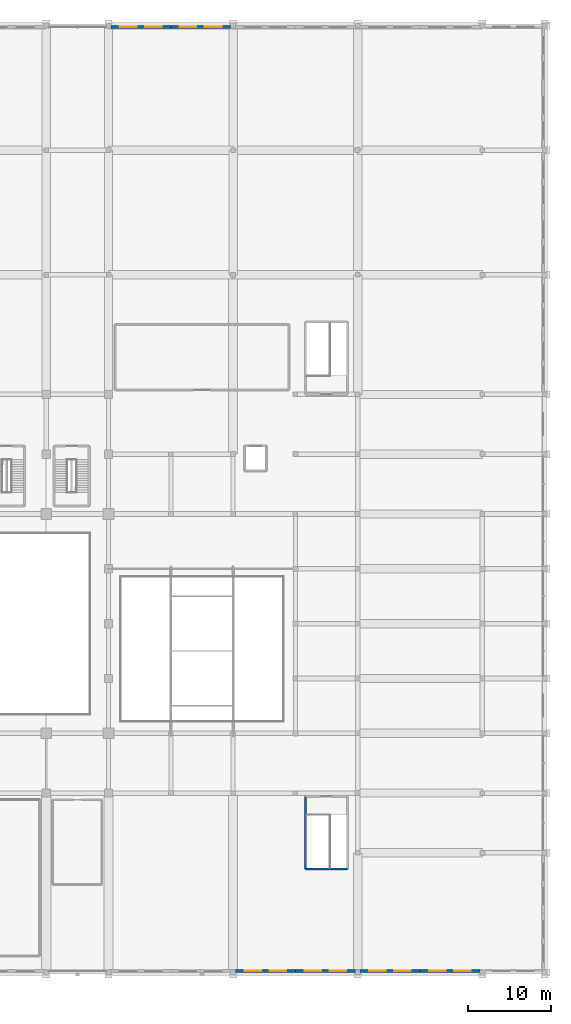
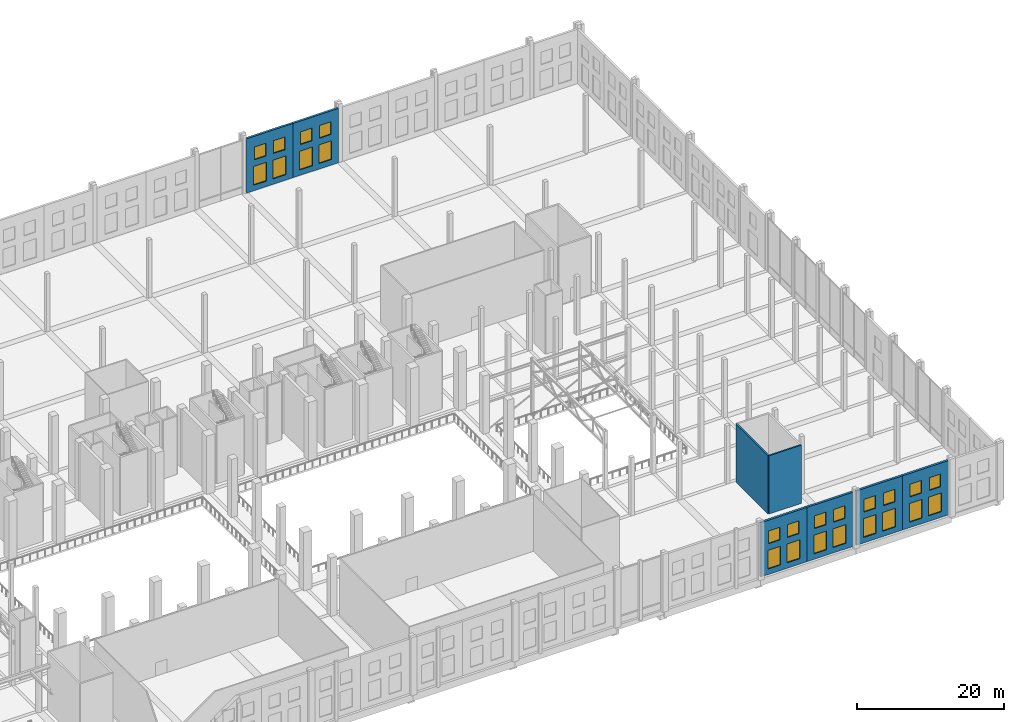
# One storey, part 70 of 80: 24 windows, 8 walls, 24 openings.
"""IFC4 building model written with IfcOpenShell, lengths in metres."""

from ifc_helpers import new_model, si_unit, direction, frame, frame_2d, origin, place, context, subcontext, project, spatial, rectangle, extrude, material, layer, layer_set, type_object, element, fill, save


model = new_model("IFC4")

# Units and contexts
model_context = context("Model", 3, precision=1e-05, world=origin(), true_north=direction((0.0, 1.0)))
body_context = subcontext(model_context, "Body", "Model", "MODEL_VIEW")
ifc_project = project(units=[si_unit("LENGTHUNIT", "METRE"), si_unit("AREAUNIT", "SQUARE_METRE"), si_unit("VOLUMEUNIT", "CUBIC_METRE"), si_unit("PLANEANGLEUNIT", "RADIAN"), si_unit("MASSUNIT", "GRAM", prefix="KILO")], contexts=[model_context])

# Site, building, storey
site_placement = place(None, origin())
site = spatial("IfcSite", under=ifc_project, at=site_placement, CompositionType="ELEMENT")
building_placement = place(site_placement, origin())
building = spatial("IfcBuilding", under=site, at=building_placement, Name="Akrevak Sports Hall", CompositionType="ELEMENT")
storey_placement = place(building_placement, frame((0.0, 0.0, 14.0)))
storey = spatial("IfcBuildingStorey", under=building, at=storey_placement, Name="L03", CompositionType="ELEMENT", Elevation=14.0)

# Wall, openings, windows
ifc_material_1 = material(Name="Limestone Ashlar", Category="stone")
ifc_layer_1 = layer(ifc_material_1, 0.070068359375, Name="Limestone Ashlar")
ifc_material_2 = material(Name="Mineral Wool Thermal Insulation", Category="insulation")
ifc_layer_2 = layer(ifc_material_2, 0.10009765625, Name="Mineral Wool Thermal Insulation")
ifc_material_3 = material(Name="Concrete C40/50", Category="concrete")
ifc_layer_3 = layer(ifc_material_3, 0.169921875, Name="Concrete C40/50")
ifc_layer_set_1 = layer_set([ifc_layer_1, ifc_layer_2, ifc_layer_3], Name="Limestone Ashlar / Mineral Wool Thermal Insulation / Concrete C40/50")
wall_type_1 = type_object("IfcWallType", Name="ARC-WL-EXT-340", PredefinedType="SOLIDWALL", material=ifc_layer_set_1)
wall_1_placement = place(storey_placement, frame((130.800048828125, 0.169921875, 0.0), z_axis=(0.0, 0.0, 1.0), x_axis=(1.0, 0.0, 0.0)))
wall_1 = element("IfcWall", 1, at=wall_1_placement, inside=storey, type_object=wall_type_1, Name="Exterior Limestone Wall L03-S16", PredefinedType="SOLIDWALL", context=body_context, shape_type="SweptSolid", body=[
    extrude(rectangle(XDim=7.199951171875, YDim=0.340087890625, at=frame_2d((3.60009765625, 0.0))), origin(), (0.0, 0.0, 1.0), 9.0),
])
opening_1_placement = place(wall_1_placement, frame((1.087890625, 0.0, 0.919921875)))
opening_1 = element("IfcOpeningElement", 2, at=opening_1_placement, cuts=wall_1, Name="Opening WN-41", PredefinedType="OPENING", context=body_context, shape_type="SweptSolid", body=[
    extrude(rectangle(XDim=2.0, YDim=3.10009765625, at=frame_2d((1.0, 1.550048828125))), frame((0.0, 0.18212890625, 0.0), z_axis=(0.0, -1.0, 0.0), x_axis=(1.0, 0.0, 0.0)), (0.0, 0.0, 1.0), 0.364013671875),
])
opening_2_placement = place(wall_1_placement, frame((1.18798828125, 0.0, 5.10009765625)))
opening_2 = element("IfcOpeningElement", 3, at=opening_2_placement, cuts=wall_1, Name="Opening WN-37", PredefinedType="OPENING", context=body_context, shape_type="SweptSolid", body=[
    extrude(rectangle(XDim=1.800048828125, YDim=2.10009765625, at=frame_2d((0.89990234375, 1.050048828125))), frame((0.0, 0.18212890625, 0.0), z_axis=(0.0, -1.0, 0.0), x_axis=(1.0, 0.0, 0.0)), (0.0, 0.0, 1.0), 0.364013671875),
])
opening_3_placement = place(wall_1_placement, frame((4.112060546875, 0.0, 0.919921875)))
opening_3 = element("IfcOpeningElement", 4, at=opening_3_placement, cuts=wall_1, Name="Opening WN-41", PredefinedType="OPENING", context=body_context, shape_type="SweptSolid", body=[
    extrude(rectangle(XDim=2.0, YDim=3.10009765625, at=frame_2d((1.0, 1.550048828125))), frame((0.0, 0.18212890625, 0.0), z_axis=(0.0, -1.0, 0.0), x_axis=(1.0, 0.0, 0.0)), (0.0, 0.0, 1.0), 0.364013671875),
])
opening_4_placement = place(wall_1_placement, frame((4.2119140625, 0.0, 5.10009765625)))
opening_4 = element("IfcOpeningElement", 5, at=opening_4_placement, cuts=wall_1, Name="Opening WN-37", PredefinedType="OPENING", context=body_context, shape_type="SweptSolid", body=[
    extrude(rectangle(XDim=1.800048828125, YDim=2.10009765625, at=frame_2d((0.89990234375, 1.050048828125))), frame((0.0, 0.18212890625, 0.0), z_axis=(0.0, -1.0, 0.0), x_axis=(1.0, 0.0, 0.0)), (0.0, 0.0, 1.0), 0.364013671875),
])
ifc_material_4 = material(Name="Thermally Broken Bronze Frame & Double Low-E Glass", Category="glass")
window_type_1 = type_object("IfcWindowType", Name="ARC-WIN-SZ-1800x2100", PartitioningType="SINGLE_PANEL", PredefinedType="WINDOW", material=ifc_material_4)
window_1_placement = place(opening_2_placement, origin())
window_1 = element("IfcWindow", 6, at=window_1_placement, inside=storey, type_object=window_type_1, Name="Beaux-Arts Attic Clerestory Window WIN-L03-S16-1U", OverallHeight=2.10009765625, OverallWidth=1.800048828125, PartitioningType="SINGLE_PANEL", PredefinedType="WINDOW", context=body_context, shape_type="SweptSolid", body=[
    extrude(rectangle(XDim=1.800048828125, YDim=2.10009765625, at=frame_2d((0.89990234375, 1.050048828125))), frame((0.0, 0.030029296875, 0.0), z_axis=(0.0, -1.0, 0.0), x_axis=(1.0, 0.0, 0.0)), (0.0, 0.0, 1.0), 0.06005859375),
])
fill(opening_2, window_1)
window_2_placement = place(opening_4_placement, origin())
window_2 = element("IfcWindow", 7, at=window_2_placement, inside=storey, type_object=window_type_1, Name="Beaux-Arts Attic Clerestory Window WIN-L03-S16-2U", OverallHeight=2.10009765625, OverallWidth=1.800048828125, PartitioningType="SINGLE_PANEL", PredefinedType="WINDOW", context=body_context, shape_type="SweptSolid", body=[
    extrude(rectangle(XDim=1.800048828125, YDim=2.10009765625, at=frame_2d((0.89990234375, 1.050048828125))), frame((0.0, 0.030029296875, 0.0), z_axis=(0.0, -1.0, 0.0), x_axis=(1.0, 0.0, 0.0)), (0.0, 0.0, 1.0), 0.06005859375),
])
fill(opening_4, window_2)
window_type_2 = type_object("IfcWindowType", Name="ARC-WIN-SZ-2000x3100", PartitioningType="SINGLE_PANEL", PredefinedType="WINDOW", material=ifc_material_4)
window_3_placement = place(opening_1_placement, origin())
window_3 = element("IfcWindow", 8, at=window_3_placement, inside=storey, type_object=window_type_2, Name="Beaux-Arts Facade Window WIN-L03-S16-1", OverallHeight=3.10009765625, OverallWidth=2.0, PartitioningType="SINGLE_PANEL", PredefinedType="WINDOW", context=body_context, shape_type="SweptSolid", body=[
    extrude(rectangle(XDim=2.0, YDim=3.10009765625, at=frame_2d((1.0, 1.550048828125))), frame((0.0, 0.030029296875, 0.0), z_axis=(0.0, -1.0, 0.0), x_axis=(1.0, 0.0, 0.0)), (0.0, 0.0, 1.0), 0.06005859375),
])
fill(opening_1, window_3)
window_4_placement = place(opening_3_placement, origin())
window_4 = element("IfcWindow", 9, at=window_4_placement, inside=storey, type_object=window_type_2, Name="Beaux-Arts Facade Window WIN-L03-S16-2", OverallHeight=3.10009765625, OverallWidth=2.0, PartitioningType="SINGLE_PANEL", PredefinedType="WINDOW", context=body_context, shape_type="SweptSolid", body=[
    extrude(rectangle(XDim=2.0, YDim=3.10009765625, at=frame_2d((1.0, 1.550048828125))), frame((0.0, 0.030029296875, 0.0), z_axis=(0.0, -1.0, 0.0), x_axis=(1.0, 0.0, 0.0)), (0.0, 0.0, 1.0), 0.06005859375),
])
fill(opening_3, window_4)

wall_2_placement = place(storey_placement, frame((138.0, 0.169921875, 0.0), z_axis=(0.0, 0.0, 1.0), x_axis=(1.0, 0.0, 0.0)))
wall_2 = element("IfcWall", 10, at=wall_2_placement, inside=storey, type_object=wall_type_1, Name="Exterior Limestone Wall L03-S17", PredefinedType="SOLIDWALL", context=body_context, shape_type="SweptSolid", body=[
    extrude(rectangle(XDim=7.22509765625, YDim=0.340087890625, at=frame_2d((3.612548828125, 0.0))), origin(), (0.0, 0.0, 1.0), 9.0),
])
opening_5_placement = place(wall_2_placement, frame((1.09521484375, 0.0, 0.919921875)))
opening_5 = element("IfcOpeningElement", 11, at=opening_5_placement, cuts=wall_2, Name="Opening WN-41", PredefinedType="OPENING", context=body_context, shape_type="SweptSolid", body=[
    extrude(rectangle(XDim=2.0, YDim=3.10009765625, at=frame_2d((1.0, 1.550048828125))), frame((0.0, 0.18212890625, 0.0), z_axis=(0.0, -1.0, 0.0), x_axis=(1.0, 0.0, 0.0)), (0.0, 0.0, 1.0), 0.364013671875),
])
opening_6_placement = place(wall_2_placement, frame((1.1953125, 0.0, 5.10009765625)))
opening_6 = element("IfcOpeningElement", 12, at=opening_6_placement, cuts=wall_2, Name="Opening WN-37", PredefinedType="OPENING", context=body_context, shape_type="SweptSolid", body=[
    extrude(rectangle(XDim=1.800048828125, YDim=2.10009765625, at=frame_2d((0.89990234375, 1.050048828125))), frame((0.0, 0.18212890625, 0.0), z_axis=(0.0, -1.0, 0.0), x_axis=(1.0, 0.0, 0.0)), (0.0, 0.0, 1.0), 0.364013671875),
])
opening_7_placement = place(wall_2_placement, frame((4.1298828125, 0.0, 0.919921875)))
opening_7 = element("IfcOpeningElement", 13, at=opening_7_placement, cuts=wall_2, Name="Opening WN-41", PredefinedType="OPENING", context=body_context, shape_type="SweptSolid", body=[
    extrude(rectangle(XDim=2.0, YDim=3.10009765625, at=frame_2d((1.0, 1.550048828125))), frame((0.0, 0.18212890625, 0.0), z_axis=(0.0, -1.0, 0.0), x_axis=(1.0, 0.0, 0.0)), (0.0, 0.0, 1.0), 0.364013671875),
])
opening_8_placement = place(wall_2_placement, frame((4.229736328125, 0.0, 5.10009765625)))
opening_8 = element("IfcOpeningElement", 14, at=opening_8_placement, cuts=wall_2, Name="Opening WN-37", PredefinedType="OPENING", context=body_context, shape_type="SweptSolid", body=[
    extrude(rectangle(XDim=1.800048828125, YDim=2.10009765625, at=frame_2d((0.89990234375, 1.050048828125))), frame((0.0, 0.18212890625, 0.0), z_axis=(0.0, -1.0, 0.0), x_axis=(1.0, 0.0, 0.0)), (0.0, 0.0, 1.0), 0.364013671875),
])
window_5_placement = place(opening_6_placement, origin())
window_5 = element("IfcWindow", 15, at=window_5_placement, inside=storey, type_object=window_type_1, Name="Beaux-Arts Attic Clerestory Window WIN-L03-S17-1U", OverallHeight=2.10009765625, OverallWidth=1.800048828125, PartitioningType="SINGLE_PANEL", PredefinedType="WINDOW", context=body_context, shape_type="SweptSolid", body=[
    extrude(rectangle(XDim=1.800048828125, YDim=2.10009765625, at=frame_2d((0.89990234375, 1.050048828125))), frame((0.0, 0.030029296875, 0.0), z_axis=(0.0, -1.0, 0.0), x_axis=(1.0, 0.0, 0.0)), (0.0, 0.0, 1.0), 0.06005859375),
])
fill(opening_6, window_5)
window_6_placement = place(opening_8_placement, origin())
window_6 = element("IfcWindow", 16, at=window_6_placement, inside=storey, type_object=window_type_1, Name="Beaux-Arts Attic Clerestory Window WIN-L03-S17-2U", OverallHeight=2.10009765625, OverallWidth=1.800048828125, PartitioningType="SINGLE_PANEL", PredefinedType="WINDOW", context=body_context, shape_type="SweptSolid", body=[
    extrude(rectangle(XDim=1.800048828125, YDim=2.10009765625, at=frame_2d((0.89990234375, 1.050048828125))), frame((0.0, 0.030029296875, 0.0), z_axis=(0.0, -1.0, 0.0), x_axis=(1.0, 0.0, 0.0)), (0.0, 0.0, 1.0), 0.06005859375),
])
fill(opening_8, window_6)
window_7_placement = place(opening_5_placement, origin())
window_7 = element("IfcWindow", 17, at=window_7_placement, inside=storey, type_object=window_type_2, Name="Beaux-Arts Facade Window WIN-L03-S17-1", OverallHeight=3.10009765625, OverallWidth=2.0, PartitioningType="SINGLE_PANEL", PredefinedType="WINDOW", context=body_context, shape_type="SweptSolid", body=[
    extrude(rectangle(XDim=2.0, YDim=3.10009765625, at=frame_2d((1.0, 1.550048828125))), frame((0.0, 0.030029296875, 0.0), z_axis=(0.0, -1.0, 0.0), x_axis=(1.0, 0.0, 0.0)), (0.0, 0.0, 1.0), 0.06005859375),
])
fill(opening_5, window_7)
window_8_placement = place(opening_7_placement, origin())
window_8 = element("IfcWindow", 18, at=window_8_placement, inside=storey, type_object=window_type_2, Name="Beaux-Arts Facade Window WIN-L03-S17-2", OverallHeight=3.10009765625, OverallWidth=2.0, PartitioningType="SINGLE_PANEL", PredefinedType="WINDOW", context=body_context, shape_type="SweptSolid", body=[
    extrude(rectangle(XDim=2.0, YDim=3.10009765625, at=frame_2d((1.0, 1.550048828125))), frame((0.0, 0.030029296875, 0.0), z_axis=(0.0, -1.0, 0.0), x_axis=(1.0, 0.0, 0.0)), (0.0, 0.0, 1.0), 0.06005859375),
])
fill(opening_7, window_8)

wall_3_placement = place(storey_placement, frame((145.77490234375, 0.169921875, 0.0), z_axis=(0.0, 0.0, 1.0), x_axis=(1.0, 0.0, 0.0)))
wall_3 = element("IfcWall", 19, at=wall_3_placement, inside=storey, type_object=wall_type_1, Name="Exterior Limestone Wall L03-S18", PredefinedType="SOLIDWALL", context=body_context, shape_type="SweptSolid", body=[
    extrude(rectangle(XDim=7.22509765625, YDim=0.340087890625, at=frame_2d((3.612548828125, 0.0))), origin(), (0.0, 0.0, 1.0), 9.0),
])
opening_9_placement = place(wall_3_placement, frame((1.09521484375, 0.0, 0.919921875)))
opening_9 = element("IfcOpeningElement", 20, at=opening_9_placement, cuts=wall_3, Name="Opening WN-41", PredefinedType="OPENING", context=body_context, shape_type="SweptSolid", body=[
    extrude(rectangle(XDim=2.0, YDim=3.10009765625, at=frame_2d((1.0, 1.550048828125))), frame((0.0, 0.18212890625, 0.0), z_axis=(0.0, -1.0, 0.0), x_axis=(1.0, 0.0, 0.0)), (0.0, 0.0, 1.0), 0.364013671875),
])
opening_10_placement = place(wall_3_placement, frame((1.1953125, 0.0, 5.10009765625)))
opening_10 = element("IfcOpeningElement", 21, at=opening_10_placement, cuts=wall_3, Name="Opening WN-37", PredefinedType="OPENING", context=body_context, shape_type="SweptSolid", body=[
    extrude(rectangle(XDim=1.800048828125, YDim=2.10009765625, at=frame_2d((0.89990234375, 1.050048828125))), frame((0.0, 0.18212890625, 0.0), z_axis=(0.0, -1.0, 0.0), x_axis=(1.0, 0.0, 0.0)), (0.0, 0.0, 1.0), 0.364013671875),
])
opening_11_placement = place(wall_3_placement, frame((4.1298828125, 0.0, 0.919921875)))
opening_11 = element("IfcOpeningElement", 22, at=opening_11_placement, cuts=wall_3, Name="Opening WN-41", PredefinedType="OPENING", context=body_context, shape_type="SweptSolid", body=[
    extrude(rectangle(XDim=2.0, YDim=3.10009765625, at=frame_2d((1.0, 1.550048828125))), frame((0.0, 0.18212890625, 0.0), z_axis=(0.0, -1.0, 0.0), x_axis=(1.0, 0.0, 0.0)), (0.0, 0.0, 1.0), 0.364013671875),
])
opening_12_placement = place(wall_3_placement, frame((4.229736328125, 0.0, 5.10009765625)))
opening_12 = element("IfcOpeningElement", 23, at=opening_12_placement, cuts=wall_3, Name="Opening WN-37", PredefinedType="OPENING", context=body_context, shape_type="SweptSolid", body=[
    extrude(rectangle(XDim=1.800048828125, YDim=2.10009765625, at=frame_2d((0.89990234375, 1.050048828125))), frame((0.0, 0.18212890625, 0.0), z_axis=(0.0, -1.0, 0.0), x_axis=(1.0, 0.0, 0.0)), (0.0, 0.0, 1.0), 0.364013671875),
])
window_9_placement = place(opening_10_placement, origin())
window_9 = element("IfcWindow", 24, at=window_9_placement, inside=storey, type_object=window_type_1, Name="Beaux-Arts Attic Clerestory Window WIN-L03-S18-1U", OverallHeight=2.10009765625, OverallWidth=1.800048828125, PartitioningType="SINGLE_PANEL", PredefinedType="WINDOW", context=body_context, shape_type="SweptSolid", body=[
    extrude(rectangle(XDim=1.800048828125, YDim=2.10009765625, at=frame_2d((0.89990234375, 1.050048828125))), frame((0.0, 0.030029296875, 0.0), z_axis=(0.0, -1.0, 0.0), x_axis=(1.0, 0.0, 0.0)), (0.0, 0.0, 1.0), 0.06005859375),
])
fill(opening_10, window_9)
window_10_placement = place(opening_12_placement, origin())
window_10 = element("IfcWindow", 25, at=window_10_placement, inside=storey, type_object=window_type_1, Name="Beaux-Arts Attic Clerestory Window WIN-L03-S18-2U", OverallHeight=2.10009765625, OverallWidth=1.800048828125, PartitioningType="SINGLE_PANEL", PredefinedType="WINDOW", context=body_context, shape_type="SweptSolid", body=[
    extrude(rectangle(XDim=1.800048828125, YDim=2.10009765625, at=frame_2d((0.89990234375, 1.050048828125))), frame((0.0, 0.030029296875, 0.0), z_axis=(0.0, -1.0, 0.0), x_axis=(1.0, 0.0, 0.0)), (0.0, 0.0, 1.0), 0.06005859375),
])
fill(opening_12, window_10)
window_11_placement = place(opening_9_placement, origin())
window_11 = element("IfcWindow", 26, at=window_11_placement, inside=storey, type_object=window_type_2, Name="Beaux-Arts Facade Window WIN-L03-S18-1", OverallHeight=3.10009765625, OverallWidth=2.0, PartitioningType="SINGLE_PANEL", PredefinedType="WINDOW", context=body_context, shape_type="SweptSolid", body=[
    extrude(rectangle(XDim=2.0, YDim=3.10009765625, at=frame_2d((1.0, 1.550048828125))), frame((0.0, 0.030029296875, 0.0), z_axis=(0.0, -1.0, 0.0), x_axis=(1.0, 0.0, 0.0)), (0.0, 0.0, 1.0), 0.06005859375),
])
fill(opening_9, window_11)
window_12_placement = place(opening_11_placement, origin())
window_12 = element("IfcWindow", 27, at=window_12_placement, inside=storey, type_object=window_type_2, Name="Beaux-Arts Facade Window WIN-L03-S18-2", OverallHeight=3.10009765625, OverallWidth=2.0, PartitioningType="SINGLE_PANEL", PredefinedType="WINDOW", context=body_context, shape_type="SweptSolid", body=[
    extrude(rectangle(XDim=2.0, YDim=3.10009765625, at=frame_2d((1.0, 1.550048828125))), frame((0.0, 0.030029296875, 0.0), z_axis=(0.0, -1.0, 0.0), x_axis=(1.0, 0.0, 0.0)), (0.0, 0.0, 1.0), 0.06005859375),
])
fill(opening_11, window_12)

wall_4_placement = place(storey_placement, frame((153.0, 0.169921875, 0.0), z_axis=(0.0, 0.0, 1.0), x_axis=(1.0, 0.0, 0.0)))
wall_4 = element("IfcWall", 28, at=wall_4_placement, inside=storey, type_object=wall_type_1, Name="Exterior Limestone Wall L03-S19", PredefinedType="SOLIDWALL", context=body_context, shape_type="SweptSolid", body=[
    extrude(rectangle(XDim=7.199951171875, YDim=0.340087890625, at=frame_2d((3.60009765625, 0.0))), origin(), (0.0, 0.0, 1.0), 9.0),
])
opening_13_placement = place(wall_4_placement, frame((1.087890625, 0.0, 0.919921875)))
opening_13 = element("IfcOpeningElement", 29, at=opening_13_placement, cuts=wall_4, Name="Opening WN-41", PredefinedType="OPENING", context=body_context, shape_type="SweptSolid", body=[
    extrude(rectangle(XDim=2.0, YDim=3.10009765625, at=frame_2d((1.0, 1.550048828125))), frame((0.0, 0.18212890625, 0.0), z_axis=(0.0, -1.0, 0.0), x_axis=(1.0, 0.0, 0.0)), (0.0, 0.0, 1.0), 0.364013671875),
])
opening_14_placement = place(wall_4_placement, frame((1.18798828125, 0.0, 5.10009765625)))
opening_14 = element("IfcOpeningElement", 30, at=opening_14_placement, cuts=wall_4, Name="Opening WN-37", PredefinedType="OPENING", context=body_context, shape_type="SweptSolid", body=[
    extrude(rectangle(XDim=1.800048828125, YDim=2.10009765625, at=frame_2d((0.89990234375, 1.050048828125))), frame((0.0, 0.18212890625, 0.0), z_axis=(0.0, -1.0, 0.0), x_axis=(1.0, 0.0, 0.0)), (0.0, 0.0, 1.0), 0.364013671875),
])
opening_15_placement = place(wall_4_placement, frame((4.112060546875, 0.0, 0.919921875)))
opening_15 = element("IfcOpeningElement", 31, at=opening_15_placement, cuts=wall_4, Name="Opening WN-41", PredefinedType="OPENING", context=body_context, shape_type="SweptSolid", body=[
    extrude(rectangle(XDim=2.0, YDim=3.10009765625, at=frame_2d((1.0, 1.550048828125))), frame((0.0, 0.18212890625, 0.0), z_axis=(0.0, -1.0, 0.0), x_axis=(1.0, 0.0, 0.0)), (0.0, 0.0, 1.0), 0.364013671875),
])
opening_16_placement = place(wall_4_placement, frame((4.2119140625, 0.0, 5.10009765625)))
opening_16 = element("IfcOpeningElement", 32, at=opening_16_placement, cuts=wall_4, Name="Opening WN-37", PredefinedType="OPENING", context=body_context, shape_type="SweptSolid", body=[
    extrude(rectangle(XDim=1.800048828125, YDim=2.10009765625, at=frame_2d((0.89990234375, 1.050048828125))), frame((0.0, 0.18212890625, 0.0), z_axis=(0.0, -1.0, 0.0), x_axis=(1.0, 0.0, 0.0)), (0.0, 0.0, 1.0), 0.364013671875),
])
window_13_placement = place(opening_14_placement, origin())
window_13 = element("IfcWindow", 33, at=window_13_placement, inside=storey, type_object=window_type_1, Name="Beaux-Arts Attic Clerestory Window WIN-L03-S19-1U", OverallHeight=2.10009765625, OverallWidth=1.800048828125, PartitioningType="SINGLE_PANEL", PredefinedType="WINDOW", context=body_context, shape_type="SweptSolid", body=[
    extrude(rectangle(XDim=1.800048828125, YDim=2.10009765625, at=frame_2d((0.89990234375, 1.050048828125))), frame((0.0, 0.030029296875, 0.0), z_axis=(0.0, -1.0, 0.0), x_axis=(1.0, 0.0, 0.0)), (0.0, 0.0, 1.0), 0.06005859375),
])
fill(opening_14, window_13)
window_14_placement = place(opening_16_placement, origin())
window_14 = element("IfcWindow", 34, at=window_14_placement, inside=storey, type_object=window_type_1, Name="Beaux-Arts Attic Clerestory Window WIN-L03-S19-2U", OverallHeight=2.10009765625, OverallWidth=1.800048828125, PartitioningType="SINGLE_PANEL", PredefinedType="WINDOW", context=body_context, shape_type="SweptSolid", body=[
    extrude(rectangle(XDim=1.800048828125, YDim=2.10009765625, at=frame_2d((0.89990234375, 1.050048828125))), frame((0.0, 0.030029296875, 0.0), z_axis=(0.0, -1.0, 0.0), x_axis=(1.0, 0.0, 0.0)), (0.0, 0.0, 1.0), 0.06005859375),
])
fill(opening_16, window_14)
window_15_placement = place(opening_13_placement, origin())
window_15 = element("IfcWindow", 35, at=window_15_placement, inside=storey, type_object=window_type_2, Name="Beaux-Arts Facade Window WIN-L03-S19-1", OverallHeight=3.10009765625, OverallWidth=2.0, PartitioningType="SINGLE_PANEL", PredefinedType="WINDOW", context=body_context, shape_type="SweptSolid", body=[
    extrude(rectangle(XDim=2.0, YDim=3.10009765625, at=frame_2d((1.0, 1.550048828125))), frame((0.0, 0.030029296875, 0.0), z_axis=(0.0, -1.0, 0.0), x_axis=(1.0, 0.0, 0.0)), (0.0, 0.0, 1.0), 0.06005859375),
])
fill(opening_13, window_15)
window_16_placement = place(opening_15_placement, origin())
window_16 = element("IfcWindow", 36, at=window_16_placement, inside=storey, type_object=window_type_2, Name="Beaux-Arts Facade Window WIN-L03-S19-2", OverallHeight=3.10009765625, OverallWidth=2.0, PartitioningType="SINGLE_PANEL", PredefinedType="WINDOW", context=body_context, shape_type="SweptSolid", body=[
    extrude(rectangle(XDim=2.0, YDim=3.10009765625, at=frame_2d((1.0, 1.550048828125))), frame((0.0, 0.030029296875, 0.0), z_axis=(0.0, -1.0, 0.0), x_axis=(1.0, 0.0, 0.0)), (0.0, 0.0, 1.0), 0.06005859375),
])
fill(opening_15, window_16)

wall_5_placement = place(storey_placement, frame((123.0, 113.830078125, 0.0), z_axis=(0.0, 0.0, 1.0), x_axis=(-1.0, 0.0, 0.0)))
wall_5 = element("IfcWall", 37, at=wall_5_placement, inside=storey, type_object=wall_type_1, Name="Exterior Limestone Wall L03-N16", PredefinedType="SOLIDWALL", context=body_context, shape_type="SweptSolid", body=[
    extrude(rectangle(XDim=7.22509765625, YDim=0.340087890625, at=frame_2d((3.612548828125, 0.0))), origin(), (0.0, 0.0, 1.0), 9.0),
])
opening_17_placement = place(wall_5_placement, frame((4.1298828125, 0.0, 0.919921875)))
opening_17 = element("IfcOpeningElement", 38, at=opening_17_placement, cuts=wall_5, Name="Opening WN-41", PredefinedType="OPENING", context=body_context, shape_type="SweptSolid", body=[
    extrude(rectangle(XDim=2.0, YDim=3.10009765625, at=frame_2d((1.0, 1.550048828125))), frame((0.0, 0.18212890625, 0.0), z_axis=(0.0, -1.0, 0.0), x_axis=(1.0, 0.0, 0.0)), (0.0, 0.0, 1.0), 0.364013671875),
])
opening_18_placement = place(wall_5_placement, frame((4.229736328125, 0.0, 5.10009765625)))
opening_18 = element("IfcOpeningElement", 39, at=opening_18_placement, cuts=wall_5, Name="Opening WN-37", PredefinedType="OPENING", context=body_context, shape_type="SweptSolid", body=[
    extrude(rectangle(XDim=1.800048828125, YDim=2.10009765625, at=frame_2d((0.89990234375, 1.050048828125))), frame((0.0, 0.18212890625, 0.0), z_axis=(0.0, -1.0, 0.0), x_axis=(1.0, 0.0, 0.0)), (0.0, 0.0, 1.0), 0.364013671875),
])
opening_19_placement = place(wall_5_placement, frame((1.09521484375, 0.0, 0.919921875)))
opening_19 = element("IfcOpeningElement", 40, at=opening_19_placement, cuts=wall_5, Name="Opening WN-41", PredefinedType="OPENING", context=body_context, shape_type="SweptSolid", body=[
    extrude(rectangle(XDim=2.0, YDim=3.10009765625, at=frame_2d((1.0, 1.550048828125))), frame((0.0, 0.18212890625, 0.0), z_axis=(0.0, -1.0, 0.0), x_axis=(1.0, 0.0, 0.0)), (0.0, 0.0, 1.0), 0.364013671875),
])
opening_20_placement = place(wall_5_placement, frame((1.1953125, 0.0, 5.10009765625)))
opening_20 = element("IfcOpeningElement", 41, at=opening_20_placement, cuts=wall_5, Name="Opening WN-37", PredefinedType="OPENING", context=body_context, shape_type="SweptSolid", body=[
    extrude(rectangle(XDim=1.800048828125, YDim=2.10009765625, at=frame_2d((0.89990234375, 1.050048828125))), frame((0.0, 0.18212890625, 0.0), z_axis=(0.0, -1.0, 0.0), x_axis=(1.0, 0.0, 0.0)), (0.0, 0.0, 1.0), 0.364013671875),
])
window_17_placement = place(opening_18_placement, origin())
window_17 = element("IfcWindow", 42, at=window_17_placement, inside=storey, type_object=window_type_1, Name="Beaux-Arts Attic Clerestory Window WIN-L03-N16-1U", OverallHeight=2.10009765625, OverallWidth=1.800048828125, PartitioningType="SINGLE_PANEL", PredefinedType="WINDOW", context=body_context, shape_type="SweptSolid", body=[
    extrude(rectangle(XDim=1.800048828125, YDim=2.10009765625, at=frame_2d((0.89990234375, 1.050048828125))), frame((0.0, 0.030029296875, 0.0), z_axis=(0.0, -1.0, 0.0), x_axis=(1.0, 0.0, 0.0)), (0.0, 0.0, 1.0), 0.06005859375),
])
fill(opening_18, window_17)
window_18_placement = place(opening_20_placement, origin())
window_18 = element("IfcWindow", 43, at=window_18_placement, inside=storey, type_object=window_type_1, Name="Beaux-Arts Attic Clerestory Window WIN-L03-N16-2U", OverallHeight=2.10009765625, OverallWidth=1.800048828125, PartitioningType="SINGLE_PANEL", PredefinedType="WINDOW", context=body_context, shape_type="SweptSolid", body=[
    extrude(rectangle(XDim=1.800048828125, YDim=2.10009765625, at=frame_2d((0.89990234375, 1.050048828125))), frame((0.0, 0.030029296875, 0.0), z_axis=(0.0, -1.0, 0.0), x_axis=(1.0, 0.0, 0.0)), (0.0, 0.0, 1.0), 0.06005859375),
])
fill(opening_20, window_18)
window_19_placement = place(opening_17_placement, origin())
window_19 = element("IfcWindow", 44, at=window_19_placement, inside=storey, type_object=window_type_2, Name="Beaux-Arts Facade Window WIN-L03-N16-1", OverallHeight=3.10009765625, OverallWidth=2.0, PartitioningType="SINGLE_PANEL", PredefinedType="WINDOW", context=body_context, shape_type="SweptSolid", body=[
    extrude(rectangle(XDim=2.0, YDim=3.10009765625, at=frame_2d((1.0, 1.550048828125))), frame((0.0, 0.030029296875, 0.0), z_axis=(0.0, -1.0, 0.0), x_axis=(1.0, 0.0, 0.0)), (0.0, 0.0, 1.0), 0.06005859375),
])
fill(opening_17, window_19)
window_20_placement = place(opening_19_placement, origin())
window_20 = element("IfcWindow", 45, at=window_20_placement, inside=storey, type_object=window_type_2, Name="Beaux-Arts Facade Window WIN-L03-N16-2", OverallHeight=3.10009765625, OverallWidth=2.0, PartitioningType="SINGLE_PANEL", PredefinedType="WINDOW", context=body_context, shape_type="SweptSolid", body=[
    extrude(rectangle(XDim=2.0, YDim=3.10009765625, at=frame_2d((1.0, 1.550048828125))), frame((0.0, 0.030029296875, 0.0), z_axis=(0.0, -1.0, 0.0), x_axis=(1.0, 0.0, 0.0)), (0.0, 0.0, 1.0), 0.06005859375),
])
fill(opening_19, window_20)

wall_6_placement = place(storey_placement, frame((130.199951171875, 113.830078125, 0.0), z_axis=(0.0, 0.0, 1.0), x_axis=(-1.0, 0.0, 0.0)))
wall_6 = element("IfcWall", 46, at=wall_6_placement, inside=storey, type_object=wall_type_1, Name="Exterior Limestone Wall L03-N17", PredefinedType="SOLIDWALL", context=body_context, shape_type="SweptSolid", body=[
    extrude(rectangle(XDim=7.199951171875, YDim=0.340087890625, at=frame_2d((3.60009765625, 0.0))), origin(), (0.0, 0.0, 1.0), 9.0),
])
opening_21_placement = place(wall_6_placement, frame((4.112060546875, 0.0, 0.919921875)))
opening_21 = element("IfcOpeningElement", 47, at=opening_21_placement, cuts=wall_6, Name="Opening WN-41", PredefinedType="OPENING", context=body_context, shape_type="SweptSolid", body=[
    extrude(rectangle(XDim=2.0, YDim=3.10009765625, at=frame_2d((1.0, 1.550048828125))), frame((0.0, 0.18212890625, 0.0), z_axis=(0.0, -1.0, 0.0), x_axis=(1.0, 0.0, 0.0)), (0.0, 0.0, 1.0), 0.364013671875),
])
opening_22_placement = place(wall_6_placement, frame((4.2119140625, 0.0, 5.10009765625)))
opening_22 = element("IfcOpeningElement", 48, at=opening_22_placement, cuts=wall_6, Name="Opening WN-37", PredefinedType="OPENING", context=body_context, shape_type="SweptSolid", body=[
    extrude(rectangle(XDim=1.800048828125, YDim=2.10009765625, at=frame_2d((0.89990234375, 1.050048828125))), frame((0.0, 0.18212890625, 0.0), z_axis=(0.0, -1.0, 0.0), x_axis=(1.0, 0.0, 0.0)), (0.0, 0.0, 1.0), 0.364013671875),
])
opening_23_placement = place(wall_6_placement, frame((1.087890625, 0.0, 0.919921875)))
opening_23 = element("IfcOpeningElement", 49, at=opening_23_placement, cuts=wall_6, Name="Opening WN-41", PredefinedType="OPENING", context=body_context, shape_type="SweptSolid", body=[
    extrude(rectangle(XDim=2.0, YDim=3.10009765625, at=frame_2d((1.0, 1.550048828125))), frame((0.0, 0.18212890625, 0.0), z_axis=(0.0, -1.0, 0.0), x_axis=(1.0, 0.0, 0.0)), (0.0, 0.0, 1.0), 0.364013671875),
])
opening_24_placement = place(wall_6_placement, frame((1.18798828125, 0.0, 5.10009765625)))
opening_24 = element("IfcOpeningElement", 50, at=opening_24_placement, cuts=wall_6, Name="Opening WN-37", PredefinedType="OPENING", context=body_context, shape_type="SweptSolid", body=[
    extrude(rectangle(XDim=1.800048828125, YDim=2.10009765625, at=frame_2d((0.89990234375, 1.050048828125))), frame((0.0, 0.18212890625, 0.0), z_axis=(0.0, -1.0, 0.0), x_axis=(1.0, 0.0, 0.0)), (0.0, 0.0, 1.0), 0.364013671875),
])
window_21_placement = place(opening_22_placement, origin())
window_21 = element("IfcWindow", 51, at=window_21_placement, inside=storey, type_object=window_type_1, Name="Beaux-Arts Attic Clerestory Window WIN-L03-N17-1U", OverallHeight=2.10009765625, OverallWidth=1.800048828125, PartitioningType="SINGLE_PANEL", PredefinedType="WINDOW", context=body_context, shape_type="SweptSolid", body=[
    extrude(rectangle(XDim=1.800048828125, YDim=2.10009765625, at=frame_2d((0.89990234375, 1.050048828125))), frame((0.0, 0.030029296875, 0.0), z_axis=(0.0, -1.0, 0.0), x_axis=(1.0, 0.0, 0.0)), (0.0, 0.0, 1.0), 0.06005859375),
])
fill(opening_22, window_21)
window_22_placement = place(opening_24_placement, origin())
window_22 = element("IfcWindow", 52, at=window_22_placement, inside=storey, type_object=window_type_1, Name="Beaux-Arts Attic Clerestory Window WIN-L03-N17-2U", OverallHeight=2.10009765625, OverallWidth=1.800048828125, PartitioningType="SINGLE_PANEL", PredefinedType="WINDOW", context=body_context, shape_type="SweptSolid", body=[
    extrude(rectangle(XDim=1.800048828125, YDim=2.10009765625, at=frame_2d((0.89990234375, 1.050048828125))), frame((0.0, 0.030029296875, 0.0), z_axis=(0.0, -1.0, 0.0), x_axis=(1.0, 0.0, 0.0)), (0.0, 0.0, 1.0), 0.06005859375),
])
fill(opening_24, window_22)
window_23_placement = place(opening_21_placement, origin())
window_23 = element("IfcWindow", 53, at=window_23_placement, inside=storey, type_object=window_type_2, Name="Beaux-Arts Facade Window WIN-L03-N17-1", OverallHeight=3.10009765625, OverallWidth=2.0, PartitioningType="SINGLE_PANEL", PredefinedType="WINDOW", context=body_context, shape_type="SweptSolid", body=[
    extrude(rectangle(XDim=2.0, YDim=3.10009765625, at=frame_2d((1.0, 1.550048828125))), frame((0.0, 0.030029296875, 0.0), z_axis=(0.0, -1.0, 0.0), x_axis=(1.0, 0.0, 0.0)), (0.0, 0.0, 1.0), 0.06005859375),
])
fill(opening_21, window_23)
window_24_placement = place(opening_23_placement, origin())
window_24 = element("IfcWindow", 54, at=window_24_placement, inside=storey, type_object=window_type_2, Name="Beaux-Arts Facade Window WIN-L03-N17-2", OverallHeight=3.10009765625, OverallWidth=2.0, PartitioningType="SINGLE_PANEL", PredefinedType="WINDOW", context=body_context, shape_type="SweptSolid", body=[
    extrude(rectangle(XDim=2.0, YDim=3.10009765625, at=frame_2d((1.0, 1.550048828125))), frame((0.0, 0.030029296875, 0.0), z_axis=(0.0, -1.0, 0.0), x_axis=(1.0, 0.0, 0.0)), (0.0, 0.0, 1.0), 0.06005859375),
])
fill(opening_23, window_24)

# Walls
ifc_material_5 = material(Name="Concrete C50/60", Category="concrete")
ifc_layer_4 = layer(ifc_material_5, 0.25, Name="Concrete C50/60")
ifc_layer_set_2 = layer_set([ifc_layer_4], Name="Concrete C50/60")
wall_type_2 = type_object("IfcWallType", Name="STR-WL-STAIR-250", PredefinedType="SHEAR", material=ifc_layer_set_2)
wall_7_placement = place(storey_placement, frame((139.22509765625, 12.47509765625, 0.0), z_axis=(0.0, 0.0, 1.0), x_axis=(1.0, 0.0, 0.0)))
element("IfcWall", 55, at=wall_7_placement, inside=storey, type_object=wall_type_2, Name="Stair Core ST7 Shear Wall S (L03)", PredefinedType="SHEAR", context=body_context, shape_type="SweptSolid", body=[
    extrude(rectangle(XDim=5.0498046875, YDim=0.25, at=frame_2d((2.52490234375, 0.0))), origin(), (0.0, 0.0, 1.0), 9.64990234375),
])
wall_8_placement = place(storey_placement, frame((139.22509765625, 21.175048828125, 0.0), z_axis=(0.0, 0.0, 1.0), x_axis=(0.0, -1.0, 0.0)))
element("IfcWall", 56, at=wall_8_placement, inside=storey, type_object=wall_type_2, Name="Stair Core ST7 Shear Wall W (L03)", PredefinedType="SHEAR", context=body_context, shape_type="SweptSolid", body=[
    extrude(rectangle(XDim=8.699951171875, YDim=0.25, at=frame_2d((4.35009765625, 0.0))), origin(), (0.0, 0.0, 1.0), 9.64990234375),
])

save(model, "model.ifc")
